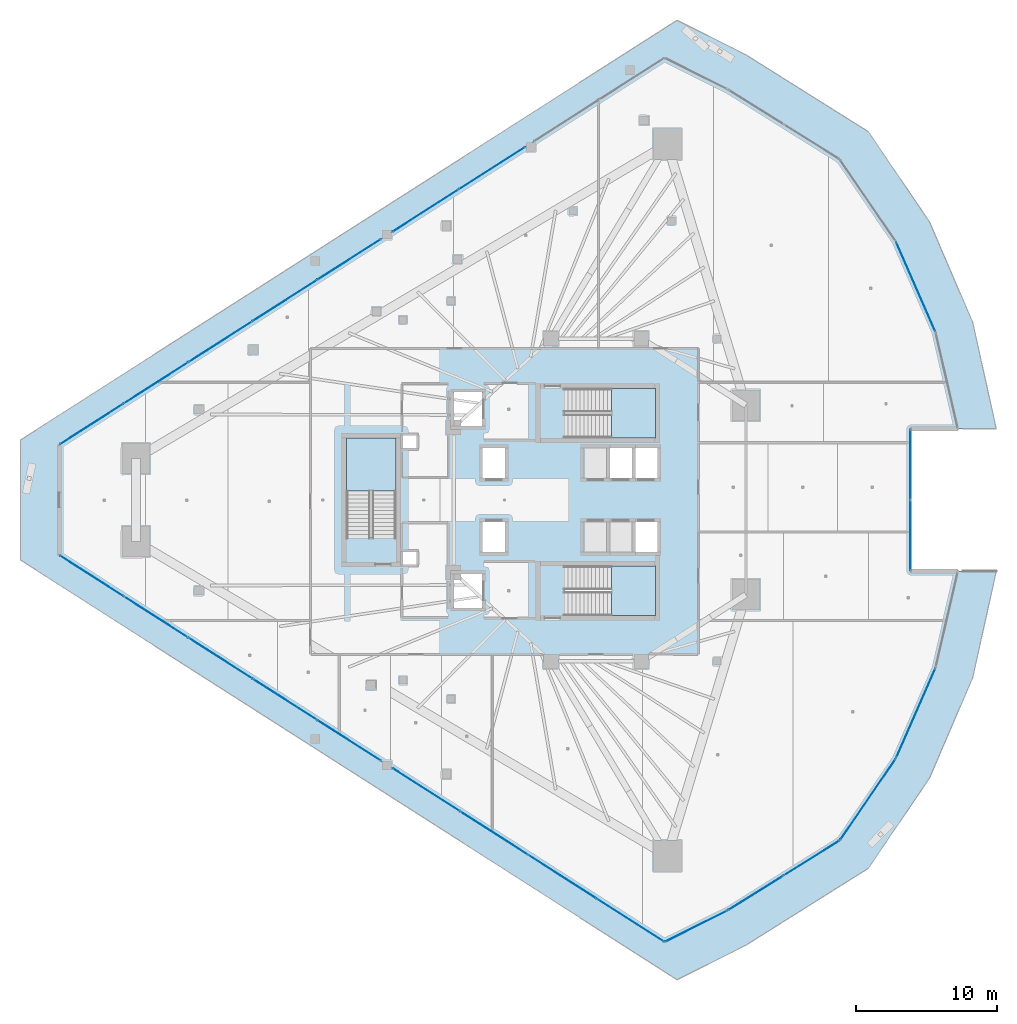
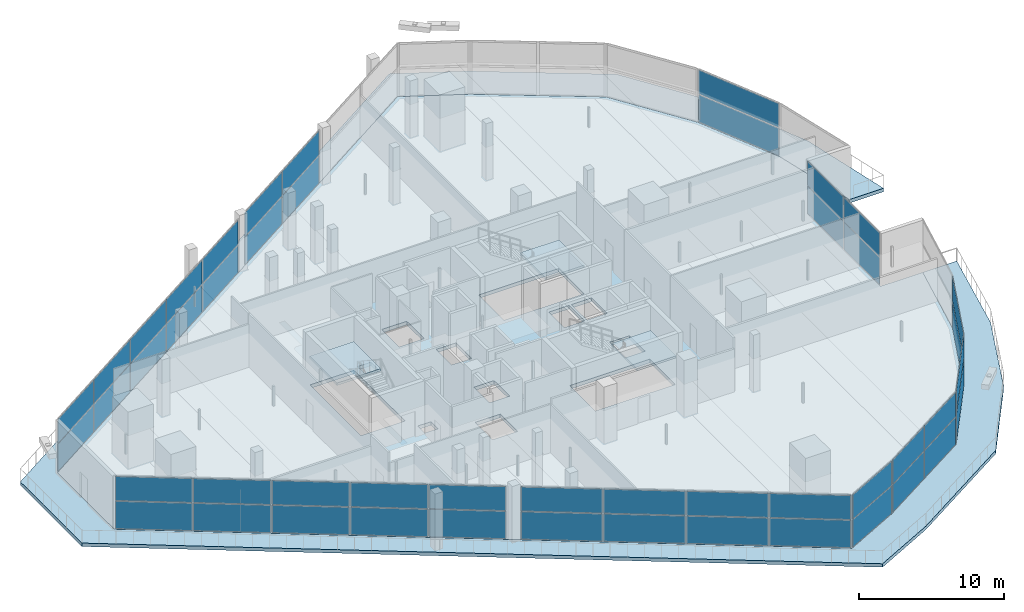
# One storey, part 24 of 42: 48 plates, 5 slabs, 13 elements without a shape of their own.
"""IFC4 building model written with IfcOpenShell, lengths in metres."""

from ifc_helpers import new_model, si_unit, direction, frame, origin, origin_2d, place, context, subcontext, project, spatial, polyline, rectangle, outline, extrude, material, layer, layer_set, type_object, element, aggregate, save


model = new_model("IFC4")

# Units and contexts
model_context = context("Model", 3, precision=1e-05, world=origin(), true_north=direction((0.0, 1.0)))
body_context = subcontext(model_context, "Body", "Model", "MODEL_VIEW")
ifc_project = project(units=[si_unit("LENGTHUNIT", "METRE"), si_unit("AREAUNIT", "SQUARE_METRE"), si_unit("VOLUMEUNIT", "CUBIC_METRE"), si_unit("PLANEANGLEUNIT", "RADIAN"), si_unit("MASSUNIT", "GRAM", prefix="KILO")], contexts=[model_context])

# Site, building, storey
site_placement = place(None, origin())
site = spatial("IfcSite", under=ifc_project, at=site_placement, CompositionType="ELEMENT")
building_placement = place(site_placement, origin())
building = spatial("IfcBuilding", under=site, at=building_placement, Name="Qorvath Tower", CompositionType="ELEMENT")
storey_placement = place(building_placement, frame((0.0, 0.0, 105.0)))
storey = spatial("IfcBuildingStorey", under=building, at=storey_placement, Name="L23", CompositionType="ELEMENT", Elevation=105.0)

# Curtain wall, plates
ifc_material_1 = material(Name="Anodised aluminium and triple low-E glass", Category="aluminium")
ifc_layer_1 = layer(ifc_material_1, 0.179931640625)
ifc_layer_set_1 = layer_set([ifc_layer_1], Name="CW-SYS-5")
curtain_wall_type = type_object("IfcCurtainWallType", Name="CW-SYS-5", PredefinedType="NOTDEFINED", material=ifc_layer_set_1)
curtain_wall_1_placement = place(storey_placement, origin())
curtain_wall_1 = element("IfcCurtainWall", 1, at=curtain_wall_1_placement, inside=storey, type_object=curtain_wall_type, Name="Curtain Wall CW-5 CW-T-L23-2.1", PredefinedType="NOTDEFINED")
ifc_material_2 = material(Name="Low-E triple insulated glass", Category="glass")
ifc_layer_2 = layer(ifc_material_2, 0.031982421875)
ifc_layer_set_2 = layer_set([ifc_layer_2], Name="CWP-GLZ-32")
plate_type = type_object("IfcPlateType", Name="CWP-GLZ-32", PredefinedType="CURTAIN_PANEL", material=ifc_layer_set_2)
plate_1_placement = place(storey_placement, frame((-56.18896484375, -5.39306640625, 0.06494140625), z_axis=(0.0, 0.0, 1.0), x_axis=(0.842605193842, -0.538531788579, 0.0)))
plate_1 = element("IfcPlate", 2, at=plate_1_placement, type_object=plate_type, Name="CW-5 panel 1.1", PredefinedType="CURTAIN_PANEL", context=body_context, shape_type="SweptSolid", body=[
    extrude(rectangle(XDim=5.31591796875, YDim=0.031982421875, at=origin_2d()), origin(), (0.0, 0.0, 1.0), 2.302490234375),
])
plate_2_placement = place(storey_placement, frame((-56.18896484375, -5.39306640625, 2.43212890625), z_axis=(0.0, 0.0, 1.0), x_axis=(0.842605193842, -0.538531788579, 0.0)))
plate_2 = element("IfcPlate", 3, at=plate_2_placement, type_object=plate_type, Name="CW-5 panel 1.2", PredefinedType="CURTAIN_PANEL", context=body_context, shape_type="SweptSolid", body=[
    extrude(rectangle(XDim=5.31591796875, YDim=0.031982421875, at=origin_2d()), origin(), (0.0, 0.0, 1.0), 2.022705078125),
])
plate_3_placement = place(storey_placement, frame((-51.630615234375, -8.306396484375, 0.06494140625), z_axis=(0.0, 0.0, 1.0), x_axis=(0.842605193842, -0.538531788579, 0.0)))
plate_3 = element("IfcPlate", 4, at=plate_3_placement, type_object=plate_type, Name="CW-5 panel 2.1", PredefinedType="CURTAIN_PANEL", context=body_context, shape_type="SweptSolid", body=[
    extrude(rectangle(XDim=5.353515625, YDim=0.031982421875, at=origin_2d()), origin(), (0.0, 0.0, 1.0), 2.302490234375),
])
plate_4_placement = place(storey_placement, frame((-51.630615234375, -8.306396484375, 2.43212890625), z_axis=(0.0, 0.0, 1.0), x_axis=(0.842605193842, -0.538531788579, 0.0)))
plate_4 = element("IfcPlate", 5, at=plate_4_placement, type_object=plate_type, Name="CW-5 panel 2.2", PredefinedType="CURTAIN_PANEL", context=body_context, shape_type="SweptSolid", body=[
    extrude(rectangle(XDim=5.353515625, YDim=0.031982421875, at=origin_2d()), origin(), (0.0, 0.0, 1.0), 2.022705078125),
])
plate_5_placement = place(storey_placement, frame((-47.056640625, -11.229736328125, 0.06494140625), z_axis=(0.0, 0.0, 1.0), x_axis=(0.842605193842, -0.538531788579, 0.0)))
plate_5 = element("IfcPlate", 6, at=plate_5_placement, type_object=plate_type, Name="CW-5 panel 3.1", PredefinedType="CURTAIN_PANEL", context=body_context, shape_type="SweptSolid", body=[
    extrude(rectangle(XDim=5.353515625, YDim=0.031982421875, at=origin_2d()), origin(), (0.0, 0.0, 1.0), 2.302490234375),
])
plate_6_placement = place(storey_placement, frame((-47.056640625, -11.229736328125, 2.43212890625), z_axis=(0.0, 0.0, 1.0), x_axis=(0.842605193842, -0.538531788579, 0.0)))
plate_6 = element("IfcPlate", 7, at=plate_6_placement, type_object=plate_type, Name="CW-5 panel 3.2", PredefinedType="CURTAIN_PANEL", context=body_context, shape_type="SweptSolid", body=[
    extrude(rectangle(XDim=5.353515625, YDim=0.031982421875, at=origin_2d()), origin(), (0.0, 0.0, 1.0), 2.022705078125),
])
plate_7_placement = place(storey_placement, frame((-42.482666015625, -14.1533203125, 0.06494140625), z_axis=(0.0, 0.0, 1.0), x_axis=(0.842605193842, -0.538531788579, 0.0)))
plate_7 = element("IfcPlate", 8, at=plate_7_placement, type_object=plate_type, Name="CW-5 panel 4.1", PredefinedType="CURTAIN_PANEL", context=body_context, shape_type="SweptSolid", body=[
    extrude(rectangle(XDim=5.353515625, YDim=0.031982421875, at=origin_2d()), origin(), (0.0, 0.0, 1.0), 2.302490234375),
])
plate_8_placement = place(storey_placement, frame((-42.482666015625, -14.1533203125, 2.43212890625), z_axis=(0.0, 0.0, 1.0), x_axis=(0.842605193842, -0.538531788579, 0.0)))
plate_8 = element("IfcPlate", 9, at=plate_8_placement, type_object=plate_type, Name="CW-5 panel 4.2", PredefinedType="CURTAIN_PANEL", context=body_context, shape_type="SweptSolid", body=[
    extrude(rectangle(XDim=5.353515625, YDim=0.031982421875, at=origin_2d()), origin(), (0.0, 0.0, 1.0), 2.022705078125),
])
plate_9_placement = place(storey_placement, frame((-37.92431640625, -17.06640625, 0.06494140625), z_axis=(0.0, 0.0, 1.0), x_axis=(0.842605193842, -0.538531788579, 0.0)))
plate_9 = element("IfcPlate", 10, at=plate_9_placement, type_object=plate_type, Name="CW-5 panel 5.1", PredefinedType="CURTAIN_PANEL", context=body_context, shape_type="SweptSolid", body=[
    extrude(rectangle(XDim=5.31591796875, YDim=0.031982421875, at=origin_2d()), origin(), (0.0, 0.0, 1.0), 2.302490234375),
])
plate_10_placement = place(storey_placement, frame((-37.92431640625, -17.06640625, 2.43212890625), z_axis=(0.0, 0.0, 1.0), x_axis=(0.842605193842, -0.538531788579, 0.0)))
plate_10 = element("IfcPlate", 11, at=plate_10_placement, type_object=plate_type, Name="CW-5 panel 5.2", PredefinedType="CURTAIN_PANEL", context=body_context, shape_type="SweptSolid", body=[
    extrude(rectangle(XDim=5.31591796875, YDim=0.031982421875, at=origin_2d()), origin(), (0.0, 0.0, 1.0), 2.022705078125),
])
aggregate(curtain_wall_1, [plate_1, plate_2, plate_3, plate_4, plate_5, plate_6, plate_7, plate_8, plate_9, plate_10])

curtain_wall_2_placement = place(storey_placement, origin())
curtain_wall_2 = element("IfcCurtainWall", 12, at=curtain_wall_2_placement, inside=storey, type_object=curtain_wall_type, Name="Curtain Wall CW-5 CW-T-L23-2.2", PredefinedType="NOTDEFINED")
plate_11_placement = place(storey_placement, frame((-32.448486328125, -20.56640625, 0.06494140625), z_axis=(0.0, 0.0, 1.0), x_axis=(0.842599712307, -0.53854036508, 0.0)))
plate_11 = element("IfcPlate", 13, at=plate_11_placement, type_object=plate_type, Name="CW-5 panel 1.1", PredefinedType="CURTAIN_PANEL", context=body_context, shape_type="SweptSolid", body=[
    extrude(rectangle(XDim=5.625244140625, YDim=0.031982421875, at=origin_2d()), origin(), (0.0, 0.0, 1.0), 2.302490234375),
])
plate_12_placement = place(storey_placement, frame((-32.448486328125, -20.56640625, 2.43212890625), z_axis=(0.0, 0.0, 1.0), x_axis=(0.842599712307, -0.53854036508, 0.0)))
plate_12 = element("IfcPlate", 14, at=plate_12_placement, type_object=plate_type, Name="CW-5 panel 1.2", PredefinedType="CURTAIN_PANEL", context=body_context, shape_type="SweptSolid", body=[
    extrude(rectangle(XDim=5.625244140625, YDim=0.031982421875, at=origin_2d()), origin(), (0.0, 0.0, 1.0), 2.022705078125),
])
plate_13_placement = place(storey_placement, frame((-27.629638671875, -23.646240234375, 0.06494140625), z_axis=(0.0, 0.0, 1.0), x_axis=(0.842599712307, -0.53854036508, 0.0)))
plate_13 = element("IfcPlate", 15, at=plate_13_placement, type_object=plate_type, Name="CW-5 panel 2.1", PredefinedType="CURTAIN_PANEL", context=body_context, shape_type="SweptSolid", body=[
    extrude(rectangle(XDim=5.662841796875, YDim=0.031982421875, at=origin_2d()), origin(), (0.0, 0.0, 1.0), 2.302490234375),
])
plate_14_placement = place(storey_placement, frame((-27.629638671875, -23.646240234375, 2.43212890625), z_axis=(0.0, 0.0, 1.0), x_axis=(0.842599712307, -0.53854036508, 0.0)))
plate_14 = element("IfcPlate", 16, at=plate_14_placement, type_object=plate_type, Name="CW-5 panel 2.2", PredefinedType="CURTAIN_PANEL", context=body_context, shape_type="SweptSolid", body=[
    extrude(rectangle(XDim=5.662841796875, YDim=0.031982421875, at=origin_2d()), origin(), (0.0, 0.0, 1.0), 2.022705078125),
])
plate_15_placement = place(storey_placement, frame((-22.794921875, -26.736328125, 0.06494140625), z_axis=(0.0, 0.0, 1.0), x_axis=(0.842599712307, -0.53854036508, 0.0)))
plate_15 = element("IfcPlate", 17, at=plate_15_placement, type_object=plate_type, Name="CW-5 panel 3.1", PredefinedType="CURTAIN_PANEL", context=body_context, shape_type="SweptSolid", body=[
    extrude(rectangle(XDim=5.662841796875, YDim=0.031982421875, at=origin_2d()), origin(), (0.0, 0.0, 1.0), 2.302490234375),
])
plate_16_placement = place(storey_placement, frame((-22.794921875, -26.736328125, 2.43212890625), z_axis=(0.0, 0.0, 1.0), x_axis=(0.842599712307, -0.53854036508, 0.0)))
plate_16 = element("IfcPlate", 18, at=plate_16_placement, type_object=plate_type, Name="CW-5 panel 3.2", PredefinedType="CURTAIN_PANEL", context=body_context, shape_type="SweptSolid", body=[
    extrude(rectangle(XDim=5.662841796875, YDim=0.031982421875, at=origin_2d()), origin(), (0.0, 0.0, 1.0), 2.022705078125),
])
plate_17_placement = place(storey_placement, frame((-17.97607421875, -29.816162109375, 0.06494140625), z_axis=(0.0, 0.0, 1.0), x_axis=(0.842599712307, -0.53854036508, 0.0)))
plate_17 = element("IfcPlate", 19, at=plate_17_placement, type_object=plate_type, Name="CW-5 panel 4.1", PredefinedType="CURTAIN_PANEL", context=body_context, shape_type="SweptSolid", body=[
    extrude(rectangle(XDim=5.625244140625, YDim=0.031982421875, at=origin_2d()), origin(), (0.0, 0.0, 1.0), 2.302490234375),
])
plate_18_placement = place(storey_placement, frame((-17.97607421875, -29.816162109375, 2.43212890625), z_axis=(0.0, 0.0, 1.0), x_axis=(0.842599712307, -0.53854036508, 0.0)))
plate_18 = element("IfcPlate", 20, at=plate_18_placement, type_object=plate_type, Name="CW-5 panel 4.2", PredefinedType="CURTAIN_PANEL", context=body_context, shape_type="SweptSolid", body=[
    extrude(rectangle(XDim=5.625244140625, YDim=0.031982421875, at=origin_2d()), origin(), (0.0, 0.0, 1.0), 2.022705078125),
])
aggregate(curtain_wall_2, [plate_11, plate_12, plate_13, plate_14, plate_15, plate_16, plate_17, plate_18])

curtain_wall_3_placement = place(storey_placement, origin())
curtain_wall_3 = element("IfcCurtainWall", 21, at=curtain_wall_3_placement, inside=storey, type_object=curtain_wall_type, Name="Curtain Wall CW-5 CW-T-L23-3.1", PredefinedType="NOTDEFINED")
plate_19_placement = place(storey_placement, frame((-13.30224609375, -30.2509765625, 0.06494140625), z_axis=(0.0, 0.0, 1.0), x_axis=(0.894439165234, 0.447189646231, 0.0)))
plate_19 = element("IfcPlate", 22, at=plate_19_placement, type_object=plate_type, Name="CW-5 panel 1.1", PredefinedType="CURTAIN_PANEL", context=body_context, shape_type="SweptSolid", body=[
    extrude(rectangle(XDim=4.860595703125, YDim=0.031982421875, at=origin_2d()), origin(), (0.0, 0.0, 1.0), 2.302490234375),
])
plate_20_placement = place(storey_placement, frame((-13.30224609375, -30.2509765625, 2.43212890625), z_axis=(0.0, 0.0, 1.0), x_axis=(0.894439165234, 0.447189646231, 0.0)))
plate_20 = element("IfcPlate", 23, at=plate_20_placement, type_object=plate_type, Name="CW-5 panel 1.2", PredefinedType="CURTAIN_PANEL", context=body_context, shape_type="SweptSolid", body=[
    extrude(rectangle(XDim=4.860595703125, YDim=0.031982421875, at=origin_2d()), origin(), (0.0, 0.0, 1.0), 2.022705078125),
])
aggregate(curtain_wall_3, [plate_19, plate_20])

curtain_wall_4_placement = place(storey_placement, origin())
curtain_wall_4 = element("IfcCurtainWall", 24, at=curtain_wall_4_placement, inside=storey, type_object=curtain_wall_type, Name="Curtain Wall CW-5 CW-T-L23-4.1", PredefinedType="NOTDEFINED")
plate_21_placement = place(storey_placement, frame((-9.053955078125, -27.87744140625, 0.06494140625), z_axis=(0.0, 0.0, 1.0), x_axis=(0.848257232519, 0.529584429037, 0.0)))
plate_21 = element("IfcPlate", 25, at=plate_21_placement, type_object=plate_type, Name="CW-5 panel 1.1", PredefinedType="CURTAIN_PANEL", context=body_context, shape_type="SweptSolid", body=[
    extrude(rectangle(XDim=4.5830078125, YDim=0.031982421875, at=origin_2d()), origin(), (0.0, 0.0, 1.0), 2.302490234375),
])
plate_22_placement = place(storey_placement, frame((-9.053955078125, -27.87744140625, 2.43212890625), z_axis=(0.0, 0.0, 1.0), x_axis=(0.848257232519, 0.529584429037, 0.0)))
plate_22 = element("IfcPlate", 26, at=plate_22_placement, type_object=plate_type, Name="CW-5 panel 1.2", PredefinedType="CURTAIN_PANEL", context=body_context, shape_type="SweptSolid", body=[
    extrude(rectangle(XDim=4.5830078125, YDim=0.031982421875, at=origin_2d()), origin(), (0.0, 0.0, 1.0), 2.022705078125),
])
plate_23_placement = place(storey_placement, frame((-5.1025390625, -25.410400390625, 0.06494140625), z_axis=(0.0, 0.0, 1.0), x_axis=(0.848257232519, 0.529584429037, 0.0)))
plate_23 = element("IfcPlate", 27, at=plate_23_placement, type_object=plate_type, Name="CW-5 panel 2.1", PredefinedType="CURTAIN_PANEL", context=body_context, shape_type="SweptSolid", body=[
    extrude(rectangle(XDim=4.5830078125, YDim=0.031982421875, at=origin_2d()), origin(), (0.0, 0.0, 1.0), 2.302490234375),
])
plate_24_placement = place(storey_placement, frame((-5.1025390625, -25.410400390625, 2.43212890625), z_axis=(0.0, 0.0, 1.0), x_axis=(0.848257232519, 0.529584429037, 0.0)))
plate_24 = element("IfcPlate", 28, at=plate_24_placement, type_object=plate_type, Name="CW-5 panel 2.2", PredefinedType="CURTAIN_PANEL", context=body_context, shape_type="SweptSolid", body=[
    extrude(rectangle(XDim=4.5830078125, YDim=0.031982421875, at=origin_2d()), origin(), (0.0, 0.0, 1.0), 2.022705078125),
])
aggregate(curtain_wall_4, [plate_21, plate_22, plate_23, plate_24])

curtain_wall_5_placement = place(storey_placement, origin())
curtain_wall_5 = element("IfcCurtainWall", 29, at=curtain_wall_5_placement, inside=storey, type_object=curtain_wall_type, Name="Curtain Wall CW-5 CW-T-L23-5.1", PredefinedType="NOTDEFINED")
plate_25_placement = place(storey_placement, frame((-1.111328125, -21.25341796875, 0.06494140625), z_axis=(0.0, 0.0, 1.0), x_axis=(0.564120075297, 0.825692764076, 0.0)))
plate_25 = element("IfcPlate", 30, at=plate_25_placement, type_object=plate_type, Name="CW-5 panel 1.1", PredefinedType="CURTAIN_PANEL", context=body_context, shape_type="SweptSolid", body=[
    extrude(rectangle(XDim=6.883544921875, YDim=0.031982421875, at=origin_2d()), origin(), (0.0, 0.0, 1.0), 2.302490234375),
])
plate_26_placement = place(storey_placement, frame((-1.111328125, -21.25341796875, 2.43212890625), z_axis=(0.0, 0.0, 1.0), x_axis=(0.564120075297, 0.825692764076, 0.0)))
plate_26 = element("IfcPlate", 31, at=plate_26_placement, type_object=plate_type, Name="CW-5 panel 1.2", PredefinedType="CURTAIN_PANEL", context=body_context, shape_type="SweptSolid", body=[
    extrude(rectangle(XDim=6.883544921875, YDim=0.031982421875, at=origin_2d()), origin(), (0.0, 0.0, 1.0), 2.022705078125),
])
aggregate(curtain_wall_5, [plate_25, plate_26])

curtain_wall_6_placement = place(storey_placement, origin())
curtain_wall_6 = element("IfcCurtainWall", 32, at=curtain_wall_6_placement, inside=storey, type_object=curtain_wall_type, Name="Curtain Wall CW-5 CW-T-L23-6.1", PredefinedType="NOTDEFINED")
plate_27_placement = place(storey_placement, frame((2.28466796875, -15.128662109375, 0.06494140625), z_axis=(0.0, 0.0, 1.0), x_axis=(0.401519036748, 0.91585067731, 0.0)))
plate_27 = element("IfcPlate", 33, at=plate_27_placement, type_object=plate_type, Name="CW-5 panel 1.1", PredefinedType="CURTAIN_PANEL", context=body_context, shape_type="SweptSolid", body=[
    extrude(rectangle(XDim=6.8837890625, YDim=0.031982421875, at=origin_2d()), origin(), (0.0, 0.0, 1.0), 2.302490234375),
])
plate_28_placement = place(storey_placement, frame((2.28466796875, -15.128662109375, 2.43212890625), z_axis=(0.0, 0.0, 1.0), x_axis=(0.401519036748, 0.91585067731, 0.0)))
plate_28 = element("IfcPlate", 34, at=plate_28_placement, type_object=plate_type, Name="CW-5 panel 1.2", PredefinedType="CURTAIN_PANEL", context=body_context, shape_type="SweptSolid", body=[
    extrude(rectangle(XDim=6.8837890625, YDim=0.031982421875, at=origin_2d()), origin(), (0.0, 0.0, 1.0), 2.022705078125),
])
aggregate(curtain_wall_6, [plate_27, plate_28])

curtain_wall_7_placement = place(storey_placement, origin())
curtain_wall_7 = element("IfcCurtainWall", 35, at=curtain_wall_7_placement, inside=storey, type_object=curtain_wall_type, Name="Curtain Wall CW-5 CW-T-L23-9.1", PredefinedType="NOTDEFINED")
plate_29_placement = place(storey_placement, frame((1.910400390625, -2.508544921875, 0.06494140625), z_axis=(0.0, 0.0, 1.0), x_axis=(0.0, 1.0, 0.0)))
plate_29 = element("IfcPlate", 36, at=plate_29_placement, type_object=plate_type, Name="CW-5 panel 1.1", PredefinedType="CURTAIN_PANEL", context=body_context, shape_type="SweptSolid", body=[
    extrude(rectangle(XDim=4.94189453125, YDim=0.031982421875, at=origin_2d()), origin(), (0.0, 0.0, 1.0), 2.302490234375),
])
plate_30_placement = place(storey_placement, frame((1.910400390625, -2.508544921875, 2.43212890625), z_axis=(0.0, 0.0, 1.0), x_axis=(0.0, 1.0, 0.0)))
plate_30 = element("IfcPlate", 37, at=plate_30_placement, type_object=plate_type, Name="CW-5 panel 1.2", PredefinedType="CURTAIN_PANEL", context=body_context, shape_type="SweptSolid", body=[
    extrude(rectangle(XDim=4.94189453125, YDim=0.031982421875, at=origin_2d()), origin(), (0.0, 0.0, 1.0), 2.022705078125),
])
plate_31_placement = place(storey_placement, frame((1.910400390625, 2.508544921875, 0.06494140625), z_axis=(0.0, 0.0, 1.0), x_axis=(0.0, 1.0, 0.0)))
plate_31 = element("IfcPlate", 38, at=plate_31_placement, type_object=plate_type, Name="CW-5 panel 2.1", PredefinedType="CURTAIN_PANEL", context=body_context, shape_type="SweptSolid", body=[
    extrude(rectangle(XDim=4.94189453125, YDim=0.031982421875, at=origin_2d()), origin(), (0.0, 0.0, 1.0), 2.302490234375),
])
plate_32_placement = place(storey_placement, frame((1.910400390625, 2.508544921875, 2.43212890625), z_axis=(0.0, 0.0, 1.0), x_axis=(0.0, 1.0, 0.0)))
plate_32 = element("IfcPlate", 39, at=plate_32_placement, type_object=plate_type, Name="CW-5 panel 2.2", PredefinedType="CURTAIN_PANEL", context=body_context, shape_type="SweptSolid", body=[
    extrude(rectangle(XDim=4.94189453125, YDim=0.031982421875, at=origin_2d()), origin(), (0.0, 0.0, 1.0), 2.022705078125),
])
aggregate(curtain_wall_7, [plate_29, plate_30, plate_31, plate_32])

curtain_wall_8_placement = place(storey_placement, origin())
curtain_wall_8 = element("IfcCurtainWall", 40, at=curtain_wall_8_placement, inside=storey, type_object=curtain_wall_type, Name="Curtain Wall CW-5 CW-T-L23-12.1", PredefinedType="NOTDEFINED")
plate_33_placement = place(storey_placement, frame((2.28466796875, 15.128662109375, 0.06494140625), z_axis=(0.0, 0.0, 1.0), x_axis=(-0.401519036748, 0.91585067731, 0.0)))
plate_33 = element("IfcPlate", 41, at=plate_33_placement, type_object=plate_type, Name="CW-5 panel 1.1", PredefinedType="CURTAIN_PANEL", context=body_context, shape_type="SweptSolid", body=[
    extrude(rectangle(XDim=6.8837890625, YDim=0.031982421875, at=origin_2d()), origin(), (0.0, 0.0, 1.0), 2.302490234375),
])
plate_34_placement = place(storey_placement, frame((2.28466796875, 15.128662109375, 2.43212890625), z_axis=(0.0, 0.0, 1.0), x_axis=(-0.401519036748, 0.91585067731, 0.0)))
plate_34 = element("IfcPlate", 42, at=plate_34_placement, type_object=plate_type, Name="CW-5 panel 1.2", PredefinedType="CURTAIN_PANEL", context=body_context, shape_type="SweptSolid", body=[
    extrude(rectangle(XDim=6.8837890625, YDim=0.031982421875, at=origin_2d()), origin(), (0.0, 0.0, 1.0), 2.022705078125),
])
aggregate(curtain_wall_8, [plate_33, plate_34])

curtain_wall_9_placement = place(storey_placement, origin())
curtain_wall_9 = element("IfcCurtainWall", 43, at=curtain_wall_9_placement, inside=storey, type_object=curtain_wall_type, Name="Curtain Wall CW-5 CW-T-L23-16.2", PredefinedType="NOTDEFINED")
plate_35_placement = place(storey_placement, frame((-27.7919921875, 23.54248046875, 0.06494140625), z_axis=(0.0, 0.0, 1.0), x_axis=(-0.84259816938, -0.538542779135, 0.0)))
plate_35 = element("IfcPlate", 44, at=plate_35_placement, type_object=plate_type, Name="CW-5 panel 1.1", PredefinedType="CURTAIN_PANEL", context=body_context, shape_type="SweptSolid", body=[
    extrude(rectangle(XDim=5.50927734375, YDim=0.031982421875, at=origin_2d()), origin(), (0.0, 0.0, 1.0), 2.302490234375),
])
plate_36_placement = place(storey_placement, frame((-27.7919921875, 23.54248046875, 2.43212890625), z_axis=(0.0, 0.0, 1.0), x_axis=(-0.84259816938, -0.538542779135, 0.0)))
plate_36 = element("IfcPlate", 45, at=plate_36_placement, type_object=plate_type, Name="CW-5 panel 1.2", PredefinedType="CURTAIN_PANEL", context=body_context, shape_type="SweptSolid", body=[
    extrude(rectangle(XDim=5.50927734375, YDim=0.031982421875, at=origin_2d()), origin(), (0.0, 0.0, 1.0), 2.022705078125),
])
plate_37_placement = place(storey_placement, frame((-32.497314453125, 20.53515625, 0.06494140625), z_axis=(0.0, 0.0, 1.0), x_axis=(-0.84259816938, -0.538542779135, 0.0)))
plate_37 = element("IfcPlate", 46, at=plate_37_placement, type_object=plate_type, Name="CW-5 panel 2.1", PredefinedType="CURTAIN_PANEL", context=body_context, shape_type="SweptSolid", body=[
    extrude(rectangle(XDim=5.50927734375, YDim=0.031982421875, at=origin_2d()), origin(), (0.0, 0.0, 1.0), 2.302490234375),
])
plate_38_placement = place(storey_placement, frame((-32.497314453125, 20.53515625, 2.43212890625), z_axis=(0.0, 0.0, 1.0), x_axis=(-0.84259816938, -0.538542779135, 0.0)))
plate_38 = element("IfcPlate", 47, at=plate_38_placement, type_object=plate_type, Name="CW-5 panel 2.2", PredefinedType="CURTAIN_PANEL", context=body_context, shape_type="SweptSolid", body=[
    extrude(rectangle(XDim=5.50927734375, YDim=0.031982421875, at=origin_2d()), origin(), (0.0, 0.0, 1.0), 2.022705078125),
])
aggregate(curtain_wall_9, [plate_35, plate_36, plate_37, plate_38])

curtain_wall_10_placement = place(storey_placement, origin())
curtain_wall_10 = element("IfcCurtainWall", 48, at=curtain_wall_10_placement, inside=storey, type_object=curtain_wall_type, Name="Curtain Wall CW-5 CW-T-L23-16.3", PredefinedType="NOTDEFINED")
plate_39_placement = place(storey_placement, frame((-37.92431640625, 17.06640625, 0.06494140625), z_axis=(0.0, 0.0, 1.0), x_axis=(-0.842605193842, -0.538531788579, 0.0)))
plate_39 = element("IfcPlate", 49, at=plate_39_placement, type_object=plate_type, Name="CW-5 panel 1.1", PredefinedType="CURTAIN_PANEL", context=body_context, shape_type="SweptSolid", body=[
    extrude(rectangle(XDim=5.31591796875, YDim=0.031982421875, at=origin_2d()), origin(), (0.0, 0.0, 1.0), 2.302490234375),
])
plate_40_placement = place(storey_placement, frame((-37.92431640625, 17.06640625, 2.43212890625), z_axis=(0.0, 0.0, 1.0), x_axis=(-0.842605193842, -0.538531788579, 0.0)))
plate_40 = element("IfcPlate", 50, at=plate_40_placement, type_object=plate_type, Name="CW-5 panel 1.2", PredefinedType="CURTAIN_PANEL", context=body_context, shape_type="SweptSolid", body=[
    extrude(rectangle(XDim=5.31591796875, YDim=0.031982421875, at=origin_2d()), origin(), (0.0, 0.0, 1.0), 2.022705078125),
])
plate_41_placement = place(storey_placement, frame((-42.482666015625, 14.1533203125, 0.06494140625), z_axis=(0.0, 0.0, 1.0), x_axis=(-0.842605193842, -0.538531788579, 0.0)))
plate_41 = element("IfcPlate", 51, at=plate_41_placement, type_object=plate_type, Name="CW-5 panel 2.1", PredefinedType="CURTAIN_PANEL", context=body_context, shape_type="SweptSolid", body=[
    extrude(rectangle(XDim=5.353515625, YDim=0.031982421875, at=origin_2d()), origin(), (0.0, 0.0, 1.0), 2.302490234375),
])
plate_42_placement = place(storey_placement, frame((-42.482666015625, 14.1533203125, 2.43212890625), z_axis=(0.0, 0.0, 1.0), x_axis=(-0.842605193842, -0.538531788579, 0.0)))
plate_42 = element("IfcPlate", 52, at=plate_42_placement, type_object=plate_type, Name="CW-5 panel 2.2", PredefinedType="CURTAIN_PANEL", context=body_context, shape_type="SweptSolid", body=[
    extrude(rectangle(XDim=5.353515625, YDim=0.031982421875, at=origin_2d()), origin(), (0.0, 0.0, 1.0), 2.022705078125),
])
plate_43_placement = place(storey_placement, frame((-47.056640625, 11.229736328125, 0.06494140625), z_axis=(0.0, 0.0, 1.0), x_axis=(-0.842605193842, -0.538531788579, 0.0)))
plate_43 = element("IfcPlate", 53, at=plate_43_placement, type_object=plate_type, Name="CW-5 panel 3.1", PredefinedType="CURTAIN_PANEL", context=body_context, shape_type="SweptSolid", body=[
    extrude(rectangle(XDim=5.353515625, YDim=0.031982421875, at=origin_2d()), origin(), (0.0, 0.0, 1.0), 2.302490234375),
])
plate_44_placement = place(storey_placement, frame((-47.056640625, 11.229736328125, 2.43212890625), z_axis=(0.0, 0.0, 1.0), x_axis=(-0.842605193842, -0.538531788579, 0.0)))
plate_44 = element("IfcPlate", 54, at=plate_44_placement, type_object=plate_type, Name="CW-5 panel 3.2", PredefinedType="CURTAIN_PANEL", context=body_context, shape_type="SweptSolid", body=[
    extrude(rectangle(XDim=5.353515625, YDim=0.031982421875, at=origin_2d()), origin(), (0.0, 0.0, 1.0), 2.022705078125),
])
plate_45_placement = place(storey_placement, frame((-51.630615234375, 8.306396484375, 0.06494140625), z_axis=(0.0, 0.0, 1.0), x_axis=(-0.842605193842, -0.538531788579, 0.0)))
plate_45 = element("IfcPlate", 55, at=plate_45_placement, type_object=plate_type, Name="CW-5 panel 4.1", PredefinedType="CURTAIN_PANEL", context=body_context, shape_type="SweptSolid", body=[
    extrude(rectangle(XDim=5.353515625, YDim=0.031982421875, at=origin_2d()), origin(), (0.0, 0.0, 1.0), 2.302490234375),
])
plate_46_placement = place(storey_placement, frame((-51.630615234375, 8.306396484375, 2.43212890625), z_axis=(0.0, 0.0, 1.0), x_axis=(-0.842605193842, -0.538531788579, 0.0)))
plate_46 = element("IfcPlate", 56, at=plate_46_placement, type_object=plate_type, Name="CW-5 panel 4.2", PredefinedType="CURTAIN_PANEL", context=body_context, shape_type="SweptSolid", body=[
    extrude(rectangle(XDim=5.353515625, YDim=0.031982421875, at=origin_2d()), origin(), (0.0, 0.0, 1.0), 2.022705078125),
])
plate_47_placement = place(storey_placement, frame((-56.18896484375, 5.39306640625, 0.06494140625), z_axis=(0.0, 0.0, 1.0), x_axis=(-0.842605193842, -0.538531788579, 0.0)))
plate_47 = element("IfcPlate", 57, at=plate_47_placement, type_object=plate_type, Name="CW-5 panel 5.1", PredefinedType="CURTAIN_PANEL", context=body_context, shape_type="SweptSolid", body=[
    extrude(rectangle(XDim=5.31591796875, YDim=0.031982421875, at=origin_2d()), origin(), (0.0, 0.0, 1.0), 2.302490234375),
])
plate_48_placement = place(storey_placement, frame((-56.18896484375, 5.39306640625, 2.43212890625), z_axis=(0.0, 0.0, 1.0), x_axis=(-0.842605193842, -0.538531788579, 0.0)))
plate_48 = element("IfcPlate", 58, at=plate_48_placement, type_object=plate_type, Name="CW-5 panel 5.2", PredefinedType="CURTAIN_PANEL", context=body_context, shape_type="SweptSolid", body=[
    extrude(rectangle(XDim=5.31591796875, YDim=0.031982421875, at=origin_2d()), origin(), (0.0, 0.0, 1.0), 2.022705078125),
])
aggregate(curtain_wall_10, [plate_39, plate_40, plate_41, plate_42, plate_43, plate_44, plate_45, plate_46, plate_47, plate_48])

# Stair, slab
ifc_material_3 = material(Name="Concrete C50/60", Category="concrete")
stair_type = type_object("IfcStairType", Name="ST-H480", PredefinedType="HALF_TURN_STAIR", material=ifc_material_3)
stair_1_placement = place(storey_placement, origin())
stair_1 = element("IfcStair", 59, at=stair_1_placement, inside=storey, type_object=stair_type, Name="L23 Tower Exit Stair 1", PredefinedType="HALF_TURN_STAIR")
ifc_material_4 = material(Name="Concrete C50/60", Category="concrete")
ifc_layer_3 = layer(ifc_material_4, 0.199951171875)
ifc_layer_set_3 = layer_set([ifc_layer_3], Name="SL-LND-200")
slab_type_1 = type_object("IfcSlabType", Name="SL-LND-200", PredefinedType="LANDING", material=ifc_layer_set_3)
slab_1_placement = place(storey_placement, frame((0.0, 0.0, 2.199951171875)))
slab_1 = element("IfcSlab", 60, at=slab_1_placement, type_object=slab_type_1, Name="TS1 landing 1", PredefinedType="LANDING", context=body_context, shape_type="SweptSolid", body=[
    extrude(outline(polyline([(-19.31005859375, 4.39990234375), (-16.199951171875, 4.39990234375), (-16.199951171875, 7.909912109375), (-19.31005859375, 7.909912109375), (-19.31005859375, 4.39990234375)])), origin(), (0.0, 0.0, 1.0), 0.199951171875),
])
aggregate(stair_1, [slab_1])

stair_2_placement = place(storey_placement, origin())
stair_2 = element("IfcStair", 61, at=stair_2_placement, inside=storey, type_object=stair_type, Name="L23 Tower Exit Stair 2", PredefinedType="HALF_TURN_STAIR")
slab_2_placement = place(storey_placement, frame((0.0, 0.0, 2.199951171875)))
slab_2 = element("IfcSlab", 62, at=slab_2_placement, type_object=slab_type_1, Name="TS2 landing 1", PredefinedType="LANDING", context=body_context, shape_type="SweptSolid", body=[
    extrude(outline(polyline([(-19.31005859375, -8.199951171875), (-16.199951171875, -8.199951171875), (-16.199951171875, -4.68994140625), (-19.31005859375, -4.68994140625), (-19.31005859375, -8.199951171875)])), origin(), (0.0, 0.0, 1.0), 0.199951171875),
])
aggregate(stair_2, [slab_2])

stair_3_placement = place(storey_placement, origin())
stair_3 = element("IfcStair", 63, at=stair_3_placement, inside=storey, type_object=stair_type, Name="L23 Tower Exit Stair 3", PredefinedType="HALF_TURN_STAIR")
slab_3_placement = place(storey_placement, frame((0.0, 0.0, 2.199951171875)))
slab_3 = element("IfcSlab", 64, at=slab_3_placement, type_object=slab_type_1, Name="TS3 landing 1", PredefinedType="LANDING", context=body_context, shape_type="SweptSolid", body=[
    extrude(outline(polyline([(-34.60009765625, 0.639892578125), (-34.60009765625, 4.39990234375), (-38.110107421875, 4.39990234375), (-38.110107421875, 0.639892578125), (-34.60009765625, 0.639892578125)])), origin(), (0.0, 0.0, 1.0), 0.199951171875),
])
aggregate(stair_3, [slab_3])

# Slabs
ifc_material_5 = material(Name="Precast concrete C45/55", Category="concrete")
ifc_layer_4 = layer(ifc_material_5, 0.2900390625)
ifc_layer_set_4 = layer_set([ifc_layer_4], Name="SL-LOG-290")
slab_type_2 = type_object("IfcSlabType", Name="SL-LOG-290", PredefinedType="FLOOR", material=ifc_layer_set_4)
slab_4_placement = place(storey_placement, frame((0.0, 0.0, -0.2900390625)))
element("IfcSlab", 65, at=slab_4_placement, inside=storey, type_object=slab_type_2, Name="Tower L23 Perimeter Loggia and Terrace Slab", PredefinedType="FLOOR", context=body_context, shape_type="SweptSolid", body=[
    extrude(outline(polyline([(5.280029296875, -5.054443359375), (3.69677734375, -11.90771484375), (0.87255859375, -18.349609375), (-3.09521484375, -24.1572265625), (-11.061279296875, -29.130615234375), (-15.54296875, -31.371337890625), (-58.49169921875, -3.92138671875), (-58.49169921875, 3.92138671875), (-15.54296875, 31.371337890625), (-11.061279296875, 29.130615234375), (-3.09521484375, 24.1572265625), (0.87255859375, 18.349609375), (3.69677734375, 11.90771484375), (5.280029296875, 5.054443359375), (7.99609375, 5.054443359375), (6.32373046875, 12.611328125), (3.2626953125, 19.72021484375), (-1.077880859375, 26.12841796875), (-9.790771484375, 31.608154296875), (-14.653564453125, 34.03955078125), (-61.25537109375, 4.2548828125), (-61.25537109375, -4.2548828125), (-14.653564453125, -34.03955078125), (-9.790771484375, -31.608154296875), (-1.077880859375, -26.12841796875), (3.2626953125, -19.72021484375), (6.32373046875, -12.611328125), (7.99609375, -5.054443359375), (5.280029296875, -5.054443359375)])), origin(), (0.0, 0.0, 1.0), 0.2900390625),
])
ifc_material_6 = material(Name="Concrete C50/60", Category="concrete")
ifc_layer_5 = layer(ifc_material_6, 0.300048828125)
ifc_layer_set_5 = layer_set([ifc_layer_5], Name="SL-PLANT-300")
slab_type_3 = type_object("IfcSlabType", Name="SL-PLANT-300", PredefinedType="FLOOR", material=ifc_layer_set_5)
slab_5_placement = place(storey_placement, frame((0.0, 0.0, -0.300048828125)))
element("IfcSlab", 66, at=slab_5_placement, inside=storey, type_object=slab_type_3, Name="Tower L23 Interior Floor Slab", PredefinedType="FLOOR", context=body_context, shape_type="SweptSolid", body=[
    extrude(outline(polyline([(-58.49169921875, 3.92138671875), (-58.49169921875, -3.92138671875), (-15.54296875, -31.371337890625), (-11.061279296875, -29.130615234375), (-3.09521484375, -24.1572265625), (0.87255859375, -18.349609375), (3.69677734375, -11.90771484375), (5.280029296875, -5.054443359375), (1.910400390625, -5.054443359375), (1.910400390625, 5.054443359375), (5.280029296875, 5.054443359375), (3.69677734375, 11.90771484375), (0.87255859375, 18.349609375), (-3.09521484375, 24.1572265625), (-11.061279296875, 29.130615234375), (-15.54296875, 31.371337890625), (-58.49169921875, 3.92138671875)]), holes=[polyline([(-17.64990234375, -3.699951171875), (-17.64990234375, -1.550048828125), (-16.050048828125, -1.550048828125), (-16.050048828125, -3.699951171875), (-17.64990234375, -3.699951171875)]), polyline([(-17.64990234375, 1.550048828125), (-17.64990234375, 3.699951171875), (-16.050048828125, 3.699951171875), (-16.050048828125, 1.550048828125), (-17.64990234375, 1.550048828125)]), polyline([(-16.2451171875, -8.199951171875), (-22.625, -8.199951171875), (-22.625, -4.68994140625), (-16.2451171875, -4.68994140625), (-16.2451171875, -8.199951171875)]), polyline([(-22.625, 4.39990234375), (-22.625, 7.909912109375), (-16.2451171875, 7.909912109375), (-16.2451171875, 4.39990234375), (-22.625, 4.39990234375)]), polyline([(-17.85009765625, 1.550048828125), (-19.449951171875, 1.550048828125), (-19.449951171875, 3.699951171875), (-17.85009765625, 3.699951171875), (-17.85009765625, 1.550048828125)]), polyline([(-28.449951171875, -3.699951171875), (-28.449951171875, -1.550048828125), (-26.85009765625, -1.550048828125), (-26.85009765625, -3.699951171875), (-28.449951171875, -3.699951171875)]), polyline([(-26.85009765625, 1.550048828125), (-28.449951171875, 1.550048828125), (-28.449951171875, 3.699951171875), (-26.85009765625, 3.699951171875), (-26.85009765625, 1.550048828125)]), polyline([(-28.5, -7.64990234375), (-30.5, -7.64990234375), (-30.5, -5.25), (-28.5, -5.25), (-28.5, -7.64990234375)]), polyline([(-30.5, 5.25), (-30.5, 7.64990234375), (-28.5, 7.64990234375), (-28.5, 5.25), (-30.5, 5.25)]), polyline([(-34.14990234375, -4.6201171875), (-34.14990234375, -3.64990234375), (-33.10009765625, -3.64990234375), (-33.10009765625, -4.6201171875), (-34.14990234375, -4.6201171875)]), polyline([(-34.14990234375, 3.64990234375), (-34.14990234375, 4.6201171875), (-33.10009765625, 4.6201171875), (-33.10009765625, 3.64990234375), (-34.14990234375, 3.64990234375)]), polyline([(-34.60009765625, -2.675048828125), (-38.110107421875, -2.675048828125), (-38.110107421875, 4.35498046875), (-34.60009765625, 4.35498046875), (-34.60009765625, -2.675048828125)])]), origin(), (0.0, 0.0, 1.0), 0.300048828125),
])

save(model, "model.ifc")
